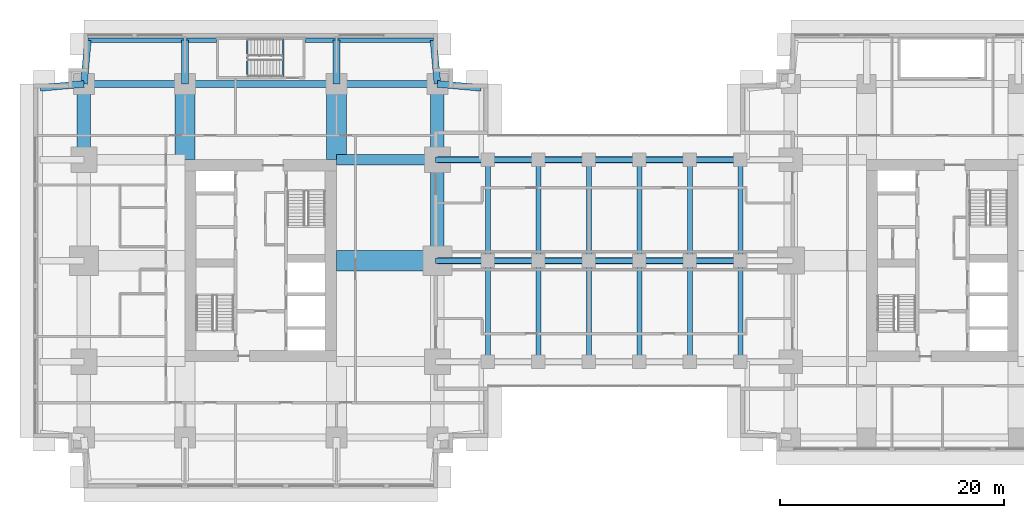
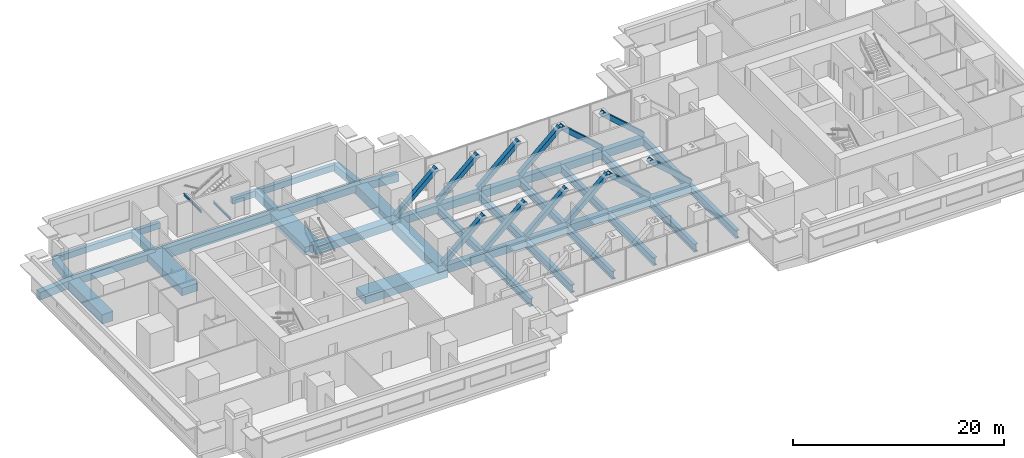
# One storey, part 3 of 14: 44 beams, 12 members.
"""IFC4 building model written with IfcOpenShell, lengths in metres."""

from ifc_helpers import new_model, si_unit, direction, frame, origin, origin_2d, place, context, subcontext, project, spatial, rectangle, hollow_rectangle, i_section, extrude, material, material_profile, profile_set, type_object, element, save


model = new_model("IFC4")

# Units and contexts
model_context = context("Model", 3, precision=1e-05, world=origin(), true_north=direction((0.0, 1.0)))
body_context = subcontext(model_context, "Body", "Model", "MODEL_VIEW")
ifc_project = project(units=[si_unit("LENGTHUNIT", "METRE"), si_unit("AREAUNIT", "SQUARE_METRE"), si_unit("VOLUMEUNIT", "CUBIC_METRE"), si_unit("PLANEANGLEUNIT", "RADIAN"), si_unit("MASSUNIT", "GRAM", prefix="KILO")], contexts=[model_context])

# Site, building, storey
site_placement = place(None, origin())
site = spatial("IfcSite", under=ifc_project, at=site_placement, CompositionType="ELEMENT")
building_placement = place(site_placement, origin())
building = spatial("IfcBuilding", under=site, at=building_placement, Name="Namib Vertical Campus", CompositionType="ELEMENT")
storey_placement = place(building_placement, frame((0.0, 0.0, 133.0)))
storey = spatial("IfcBuildingStorey", under=building, at=storey_placement, Name="L31", CompositionType="ELEMENT", Elevation=133.0)

# Members
ifc_material_1 = material(Name="Steel S355JR", Category="steel")
ifc_material_profile_1 = material_profile(ifc_material_1, hollow_rectangle(XDim=0.5, YDim=0.5, WallThickness=0.031982421875, at=origin_2d()))
ifc_profile_set_1 = profile_set([ifc_material_profile_1], Name="Steel S355JR")
member_type = type_object("IfcMemberType", Name="Bridge end brace WB 500x500x32", PredefinedType="BRACE", material=ifc_profile_set_1)
for number, where, z_axis, x_axis, name in (
    (1, (36.0, 20.25, 0.0), (0.747409318684, 0.0, 0.66436383883), (0.0, 1.0, 0.0), "Bridge brace BX1 L31 T2 bay 1"),
    (2, (40.5, 20.25, 0.0), (0.747409318684, 0.0, 0.66436383883), (0.0, 1.0, 0.0), "Bridge brace BX1 L31 T2 bay 2"),
    (3, (45.0, 20.25, 0.0), (0.747409318684, 0.0, 0.66436383883), (0.0, 1.0, 0.0), "Bridge brace BX1 L31 T2 bay 3"),
    (4, (49.5, 20.25, 0.0), (0.747409318684, 0.0, 0.66436383883), (0.0, 1.0, 0.0), "Bridge brace BX1 L31 T2 bay 4"),
    (5, (58.5, 20.25, 0.0), (-0.747409318684, 0.0, 0.66436383883), (0.0, -1.0, 0.0), "Bridge brace BX1 L31 T2 bay 5"),
    (6, (63.0, 20.25, 0.0), (-0.747409318684, 0.0, 0.66436383883), (0.0, -1.0, 0.0), "Bridge brace BX1 L31 T2 bay 6"),
    (7, (36.0, 29.25, 0.0), (0.747409318684, 0.0, 0.66436383883), (0.0, 1.0, 0.0), "Bridge brace BX1 L31 T3 bay 1"),
    (8, (40.5, 29.25, 0.0), (0.747409318684, 0.0, 0.66436383883), (0.0, 1.0, 0.0), "Bridge brace BX1 L31 T3 bay 2"),
    (9, (45.0, 29.25, 0.0), (0.747409318684, 0.0, 0.66436383883), (0.0, 1.0, 0.0), "Bridge brace BX1 L31 T3 bay 3"),
    (10, (49.5, 29.25, 0.0), (0.747409318684, 0.0, 0.66436383883), (0.0, 1.0, 0.0), "Bridge brace BX1 L31 T3 bay 4"),
    (11, (58.5, 29.25, 0.0), (-0.747409318684, 0.0, 0.66436383883), (0.0, -1.0, 0.0), "Bridge brace BX1 L31 T3 bay 5"),
    (12, (63.0, 29.25, 0.0), (-0.747409318684, 0.0, 0.66436383883), (0.0, -1.0, 0.0), "Bridge brace BX1 L31 T3 bay 6"),
):
    element("IfcMember", number, at=place(storey_placement, frame(where, z_axis=z_axis, x_axis=x_axis)), inside=storey, type_object=member_type, Name=name, PredefinedType="BRACE", context=body_context, shape_type="SweptSolid", body=[
        extrude(hollow_rectangle(XDim=0.5, YDim=0.5, WallThickness=0.031982421875, at=origin_2d()), origin(), (0.0, 0.0, 1.0), 6.020751953125),
    ])

# Beams
ifc_material_2 = material(Name="Steel S355JR", Category="steel")
ifc_material_profile_2 = material_profile(ifc_material_2, i_section(OverallWidth=0.42041015625, OverallDepth=0.92041015625, WebThickness=0.021484375, FlangeThickness=0.03662109375, FilletRadius=0.024169921875, at=origin_2d()))
ifc_profile_set_2 = profile_set([ifc_material_profile_2], Name="Steel S355JR")
beam_type_1 = type_object("IfcBeamType", Name="Bridge floor beam UB 914x419x388", PredefinedType="BEAM", material=ifc_profile_set_2)
for number, where, z_axis, x_axis, name in (
    (13, (40.5, 11.25, -0.710205078125), (0.0, 1.0, 0.0), (-1.0, 0.0, 0.0), "Bridge beam BB1 L31"),
    (14, (40.5, 20.25, -0.710205078125), (0.0, 1.0, 0.0), (-1.0, 0.0, 0.0), "Bridge beam BB1 L31"),
    (15, (45.0, 11.25, -0.710205078125), (0.0, 1.0, 0.0), (-1.0, 0.0, 0.0), "Bridge beam BB1 L31"),
    (16, (45.0, 20.25, -0.710205078125), (0.0, 1.0, 0.0), (-1.0, 0.0, 0.0), "Bridge beam BB1 L31"),
    (17, (49.5, 11.25, -0.710205078125), (0.0, 1.0, 0.0), (-1.0, 0.0, 0.0), "Bridge beam BB1 L31"),
    (18, (49.5, 20.25, -0.710205078125), (0.0, 1.0, 0.0), (-1.0, 0.0, 0.0), "Bridge beam BB1 L31"),
    (19, (54.0, 11.25, -0.710205078125), (0.0, 1.0, 0.0), (-1.0, 0.0, 0.0), "Bridge beam BB1 L31"),
    (20, (54.0, 20.25, -0.710205078125), (0.0, 1.0, 0.0), (-1.0, 0.0, 0.0), "Bridge beam BB1 L31"),
    (21, (58.5, 11.25, -0.710205078125), (0.0, 1.0, 0.0), (-1.0, 0.0, 0.0), "Bridge beam BB1 L31"),
    (22, (58.5, 20.25, -0.710205078125), (0.0, 1.0, 0.0), (-1.0, 0.0, 0.0), "Bridge beam BB1 L31"),
    (23, (63.0, 11.25, -0.710205078125), (0.0, 1.0, 0.0), (-1.0, 0.0, 0.0), "Bridge beam BB1 L31"),
    (24, (63.0, 20.25, -0.710205078125), (0.0, 1.0, 0.0), (-1.0, 0.0, 0.0), "Bridge beam BB1 L31"),
):
    element("IfcBeam", number, at=place(storey_placement, frame(where, z_axis=z_axis, x_axis=x_axis)), inside=storey, type_object=beam_type_1, Name=name, PredefinedType="BEAM", context=body_context, shape_type="SweptSolid", body=[
        extrude(i_section(OverallWidth=0.42041015625, OverallDepth=0.92041015625, WebThickness=0.021484375, FlangeThickness=0.03662109375, FilletRadius=0.024169921875, at=origin_2d()), origin(), (0.0, 0.0, 1.0), 9.0),
    ])
ifc_material_3 = material(Name="Steel S355JR", Category="steel")
ifc_material_profile_3 = material_profile(ifc_material_3, hollow_rectangle(XDim=0.60009765625, YDim=0.89990234375, WallThickness=0.050048828125, at=origin_2d()))
ifc_profile_set_3 = profile_set([ifc_material_profile_3], Name="Steel S355JR")
beam_type_2 = type_object("IfcBeamType", Name="Bridge girder WB 900x600x50", PredefinedType="BEAM", material=ifc_profile_set_3)
for number, where, z_axis, x_axis, name in (
    (25, (36.0, 20.25, -0.699951171875), (1.0, 0.0, 0.0), (0.0, 1.0, 0.0), "Bridge girder BG1 L31"),
    (26, (40.5, 20.25, -0.699951171875), (1.0, 0.0, 0.0), (0.0, 1.0, 0.0), "Bridge girder BG1 L31"),
    (27, (45.0, 20.25, -0.699951171875), (1.0, 0.0, 0.0), (0.0, 1.0, 0.0), "Bridge girder BG1 L31"),
    (28, (49.5, 20.25, -0.699951171875), (1.0, 0.0, 0.0), (0.0, 1.0, 0.0), "Bridge girder BG1 L31"),
    (29, (54.0, 20.25, -0.699951171875), (1.0, 0.0, 0.0), (0.0, 1.0, 0.0), "Bridge girder BG1 L31"),
    (30, (58.5, 20.25, -0.699951171875), (1.0, 0.0, 0.0), (0.0, 1.0, 0.0), "Bridge girder BG1 L31"),
    (31, (36.0, 29.25, -0.699951171875), (1.0, 0.0, 0.0), (0.0, 1.0, 0.0), "Bridge girder BG1 L31"),
    (32, (40.5, 29.25, -0.699951171875), (1.0, 0.0, 0.0), (0.0, 1.0, 0.0), "Bridge girder BG1 L31"),
    (33, (45.0, 29.25, -0.699951171875), (1.0, 0.0, 0.0), (0.0, 1.0, 0.0), "Bridge girder BG1 L31"),
    (34, (49.5, 29.25, -0.699951171875), (1.0, 0.0, 0.0), (0.0, 1.0, 0.0), "Bridge girder BG1 L31"),
    (35, (54.0, 29.25, -0.699951171875), (1.0, 0.0, 0.0), (0.0, 1.0, 0.0), "Bridge girder BG1 L31"),
    (36, (58.5, 29.25, -0.699951171875), (1.0, 0.0, 0.0), (0.0, 1.0, 0.0), "Bridge girder BG1 L31"),
):
    element("IfcBeam", number, at=place(storey_placement, frame(where, z_axis=z_axis, x_axis=x_axis)), inside=storey, type_object=beam_type_2, Name=name, PredefinedType="BEAM", context=body_context, shape_type="SweptSolid", body=[
        extrude(hollow_rectangle(XDim=0.60009765625, YDim=0.89990234375, WallThickness=0.050048828125, at=origin_2d()), origin(), (0.0, 0.0, 1.0), 4.5),
    ])
ifc_material_4 = material(Name="Concrete C40/50", Category="concrete")
ifc_material_profile_4 = material_profile(ifc_material_4, rectangle(XDim=0.60009765625, YDim=0.89990234375, at=origin_2d()))
ifc_profile_set_4 = profile_set([ifc_material_profile_4], Name="Concrete C40/50")
beam_type_3 = type_object("IfcBeamType", Name="Cantilever girder RC 600x900", PredefinedType="BEAM", material=ifc_profile_set_4)
beam_1_placement = place(storey_placement, frame((4.5, 36.0, -0.699951171875), z_axis=(0.089411326146, 0.995994786511, 0.0), x_axis=(-0.995994786511, 0.089411326146, 0.0)))
element("IfcBeam", 37, at=beam_1_placement, inside=storey, type_object=beam_type_3, Name="Beam B3 L31", PredefinedType="BEAM", context=body_context, shape_type="SweptSolid", body=[
    extrude(rectangle(XDim=0.60009765625, YDim=0.89990234375, at=origin_2d()), origin(), (0.0, 0.0, 1.0), 3.91552734375),
])
for number, where, z_axis, x_axis, name in (
    (38, (13.5, 36.0, -0.699951171875), (0.0, 1.0, 0.0), (-1.0, 0.0, 0.0), "Beam B3 L31"),
    (39, (27.0, 36.0, -0.699951171875), (0.0, 1.0, 0.0), (-1.0, 0.0, 0.0), "Beam B3 L31"),
):
    element("IfcBeam", number, at=place(storey_placement, frame(where, z_axis=z_axis, x_axis=x_axis)), inside=storey, type_object=beam_type_3, Name=name, PredefinedType="BEAM", context=body_context, shape_type="SweptSolid", body=[
        extrude(rectangle(XDim=0.60009765625, YDim=0.89990234375, at=origin_2d()), origin(), (0.0, 0.0, 1.0), 3.89990234375),
    ])
for number, where, z_axis, x_axis, name in (
    (40, (36.0, 36.0, -0.699951171875), (-0.089411326146, 0.995994786511, 0.0), (-0.995994786511, -0.089411326146, 0.0), "Beam B3 L31"),
    (41, (4.5, 36.0, -0.699951171875), (-0.995994786511, -0.089411326146, 0.0), (0.089411326146, -0.995994786511, 0.0), "Beam B3 L31"),
    (42, (36.0, 36.0, -0.699951171875), (0.995994786511, -0.089411326146, 0.0), (0.089411326146, 0.995994786511, 0.0), "Beam B3 L31"),
):
    element("IfcBeam", number, at=place(storey_placement, frame(where, z_axis=z_axis, x_axis=x_axis)), inside=storey, type_object=beam_type_3, Name=name, PredefinedType="BEAM", context=body_context, shape_type="SweptSolid", body=[
        extrude(rectangle(XDim=0.60009765625, YDim=0.89990234375, at=origin_2d()), origin(), (0.0, 0.0, 1.0), 3.91552734375),
    ])
ifc_material_5 = material(Name="Concrete C40/50", Category="concrete")
ifc_material_profile_5 = material_profile(ifc_material_5, rectangle(XDim=0.39990234375, YDim=0.699951171875, at=origin_2d()))
ifc_profile_set_5 = profile_set([ifc_material_profile_5], Name="Concrete C40/50")
beam_type_4 = type_object("IfcBeamType", Name="Edge beam RC 400x700", PredefinedType="SPANDREL", material=ifc_profile_set_5)
for number, where, z_axis, x_axis, name in (
    (43, (4.85009765625, 39.89990234375, -0.60009765625), (1.0, 0.0, 0.0), (0.0, 1.0, 0.0), "Beam B4 L31"),
    (44, (24.199951171875, 39.89990234375, -0.60009765625), (1.0, 0.0, 0.0), (0.0, 1.0, 0.0), "Beam B4 L31"),
):
    element("IfcBeam", number, at=place(storey_placement, frame(where, z_axis=z_axis, x_axis=x_axis)), inside=storey, type_object=beam_type_4, Name=name, PredefinedType="SPANDREL", context=body_context, shape_type="SweptSolid", body=[
        extrude(rectangle(XDim=0.39990234375, YDim=0.699951171875, at=origin_2d()), origin(), (0.0, 0.0, 1.0), 11.449951171875),
    ])
ifc_material_6 = material(Name="Concrete C40/50", Category="concrete")
ifc_material_profile_6 = material_profile(ifc_material_6, rectangle(XDim=0.89990234375, YDim=0.89990234375, at=origin_2d()))
ifc_profile_set_6 = profile_set([ifc_material_profile_6], Name="Concrete C40/50")
beam_type_5 = type_object("IfcBeamType", Name="Face girder RC 900x900", PredefinedType="BEAM", material=ifc_profile_set_6)
beam_2_placement = place(storey_placement, frame((36.0, 29.25, -0.699951171875), z_axis=(-1.0, 0.0, 0.0), x_axis=(0.0, -1.0, 0.0)))
element("IfcBeam", 45, at=beam_2_placement, inside=storey, type_object=beam_type_5, Name="Beam B10 L31", PredefinedType="BEAM", context=body_context, shape_type="SweptSolid", body=[
    extrude(rectangle(XDim=0.89990234375, YDim=0.89990234375, at=origin_2d()), origin(), (0.0, 0.0, 1.0), 9.0),
])
ifc_material_7 = material(Name="Concrete C40/50", Category="concrete")
ifc_material_profile_7 = material_profile(ifc_material_7, rectangle(XDim=1.199951171875, YDim=1.10009765625, at=origin_2d()))
ifc_profile_set_7 = profile_set([ifc_material_profile_7], Name="Concrete C40/50")
beam_type_6 = type_object("IfcBeamType", Name="Face ring beam RC 1200x1100", PredefinedType="BEAM", material=ifc_profile_set_7)
beam_3_placement = place(storey_placement, frame((4.5, 29.25, -0.800048828125), z_axis=(0.0, 1.0, 0.0), x_axis=(-1.0, 0.0, 0.0)))
element("IfcBeam", 46, at=beam_3_placement, inside=storey, type_object=beam_type_6, Name="Beam B11 L31", PredefinedType="BEAM", context=body_context, shape_type="SweptSolid", body=[
    extrude(rectangle(XDim=1.199951171875, YDim=1.10009765625, at=origin_2d()), origin(), (0.0, 0.0, 1.0), 6.75),
])
beam_4_placement = place(storey_placement, frame((36.0, 20.25, -0.800048828125), z_axis=(0.0, 1.0, 0.0), x_axis=(-1.0, 0.0, 0.0)))
element("IfcBeam", 47, at=beam_4_placement, inside=storey, type_object=beam_type_6, Name="Beam B11 L31", PredefinedType="BEAM", context=body_context, shape_type="SweptSolid", body=[
    extrude(rectangle(XDim=1.199951171875, YDim=1.10009765625, at=origin_2d()), origin(), (0.0, 0.0, 1.0), 9.0),
])
beam_5_placement = place(storey_placement, frame((36.0, 29.25, -0.800048828125), z_axis=(0.0, 1.0, 0.0), x_axis=(-1.0, 0.0, 0.0)))
element("IfcBeam", 48, at=beam_5_placement, inside=storey, type_object=beam_type_6, Name="Beam B11 L31", PredefinedType="BEAM", context=body_context, shape_type="SweptSolid", body=[
    extrude(rectangle(XDim=1.199951171875, YDim=1.10009765625, at=origin_2d()), origin(), (0.0, 0.0, 1.0), 6.75),
])
ifc_material_8 = material(Name="Steel S355JR", Category="steel")
ifc_material_profile_8 = material_profile(ifc_material_8, i_section(OverallWidth=0.14599609375, OverallDepth=0.25146484375, WebThickness=0.006103515625, FlangeThickness=0.008544921875, FilletRadius=0.007568359375, at=origin_2d()))
ifc_profile_set_8 = profile_set([ifc_material_profile_8], Name="Steel S355JR")
beam_type_7 = type_object("IfcBeamType", Name="Landing trimmer UB 254x146x31", PredefinedType="BEAM", material=ifc_profile_set_8)
for number, where, z_axis, x_axis, name in (
    (49, (22.27294921875, 36.64990234375, -0.125732421875), (0.0, 1.0, 0.0), (-1.0, 0.0, 0.0), "Landing trimmer LT1 A-S3 L31 1"),
    (50, (19.046875, 36.64990234375, 1.874267578125), (0.0, 1.0, 0.0), (-1.0, 0.0, 0.0), "Landing trimmer LT1 A-S3 L31 2"),
):
    element("IfcBeam", number, at=place(storey_placement, frame(where, z_axis=z_axis, x_axis=x_axis)), inside=storey, type_object=beam_type_7, Name=name, PredefinedType="BEAM", context=body_context, shape_type="SweptSolid", body=[
        extrude(i_section(OverallWidth=0.14599609375, OverallDepth=0.25146484375, WebThickness=0.006103515625, FlangeThickness=0.008544921875, FilletRadius=0.007568359375, at=origin_2d()), origin(), (0.0, 0.0, 1.0), 3.35009765625),
    ])
ifc_material_9 = material(Name="Concrete C40/50", Category="concrete")
ifc_material_profile_9 = material_profile(ifc_material_9, rectangle(XDim=0.60009765625, YDim=1.199951171875, at=origin_2d()))
ifc_profile_set_9 = profile_set([ifc_material_profile_9], Name="Concrete C40/50")
beam_type_8 = type_object("IfcBeamType", Name="Long-span ring beam RC 600x1200", PredefinedType="BEAM", material=ifc_profile_set_9)
beam_6_placement = place(storey_placement, frame((13.5, 36.0, -0.85009765625), z_axis=(1.0, 0.0, 0.0), x_axis=(0.0, 1.0, 0.0)))
element("IfcBeam", 51, at=beam_6_placement, inside=storey, type_object=beam_type_8, Name="Beam B9 L31", PredefinedType="BEAM", context=body_context, shape_type="SweptSolid", body=[
    extrude(rectangle(XDim=0.60009765625, YDim=1.199951171875, at=origin_2d()), origin(), (0.0, 0.0, 1.0), 13.5),
])
ifc_material_10 = material(Name="Concrete C40/50", Category="concrete")
ifc_material_profile_10 = material_profile(ifc_material_10, rectangle(XDim=1.800048828125, YDim=0.89990234375, at=origin_2d()))
ifc_profile_set_10 = profile_set([ifc_material_profile_10], Name="Concrete C40/50")
beam_type_9 = type_object("IfcBeamType", Name="Outrigger line girder RC 1800x900", PredefinedType="BEAM", material=ifc_profile_set_10)
for number, where, z_axis, x_axis, name in (
    (52, (13.5, 36.0, -0.699951171875), (0.0, -1.0, 0.0), (1.0, 0.0, 0.0), "Beam B12 L31"),
    (53, (27.0, 36.0, -0.699951171875), (0.0, -1.0, 0.0), (1.0, 0.0, 0.0), "Beam B12 L31"),
):
    element("IfcBeam", number, at=place(storey_placement, frame(where, z_axis=z_axis, x_axis=x_axis)), inside=storey, type_object=beam_type_9, Name=name, PredefinedType="BEAM", context=body_context, shape_type="SweptSolid", body=[
        extrude(rectangle(XDim=1.800048828125, YDim=0.89990234375, at=origin_2d()), origin(), (0.0, 0.0, 1.0), 6.75),
    ])
beam_7_placement = place(storey_placement, frame((36.0, 20.25, -0.699951171875), z_axis=(-1.0, 0.0, 0.0), x_axis=(0.0, -1.0, 0.0)))
element("IfcBeam", 54, at=beam_7_placement, inside=storey, type_object=beam_type_9, Name="Beam B12 L31", PredefinedType="BEAM", context=body_context, shape_type="SweptSolid", body=[
    extrude(rectangle(XDim=1.800048828125, YDim=0.89990234375, at=origin_2d()), origin(), (0.0, 0.0, 1.0), 9.0),
])
ifc_material_11 = material(Name="Concrete C40/50", Category="concrete")
ifc_material_profile_11 = material_profile(ifc_material_11, rectangle(XDim=0.60009765625, YDim=0.800048828125, at=origin_2d()))
ifc_profile_set_11 = profile_set([ifc_material_profile_11], Name="Concrete C40/50")
beam_type_10 = type_object("IfcBeamType", Name="Ring beam RC 600x800", PredefinedType="BEAM", material=ifc_profile_set_11)
for number, where, z_axis, x_axis, name in (
    (55, (4.5, 36.0, -0.64990234375), (1.0, 0.0, 0.0), (0.0, 1.0, 0.0), "Beam B1 L31"),
    (56, (27.0, 36.0, -0.64990234375), (1.0, 0.0, 0.0), (0.0, 1.0, 0.0), "Beam B1 L31"),
):
    element("IfcBeam", number, at=place(storey_placement, frame(where, z_axis=z_axis, x_axis=x_axis)), inside=storey, type_object=beam_type_10, Name=name, PredefinedType="BEAM", context=body_context, shape_type="SweptSolid", body=[
        extrude(rectangle(XDim=0.60009765625, YDim=0.800048828125, at=origin_2d()), origin(), (0.0, 0.0, 1.0), 9.0),
    ])

save(model, "model.ifc")
